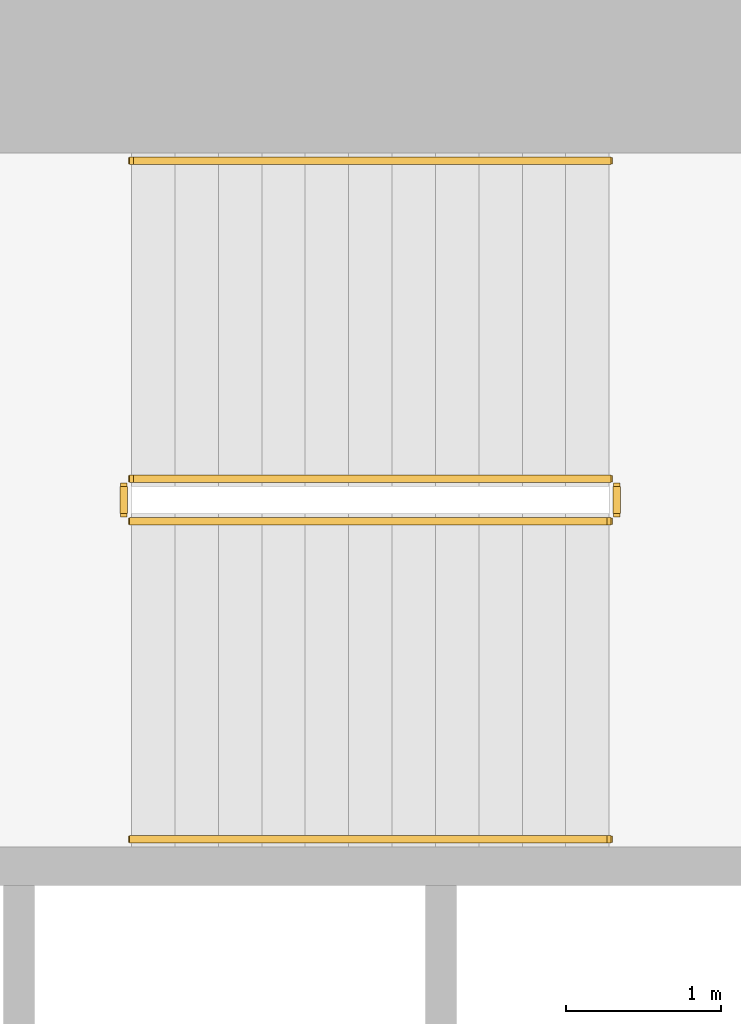
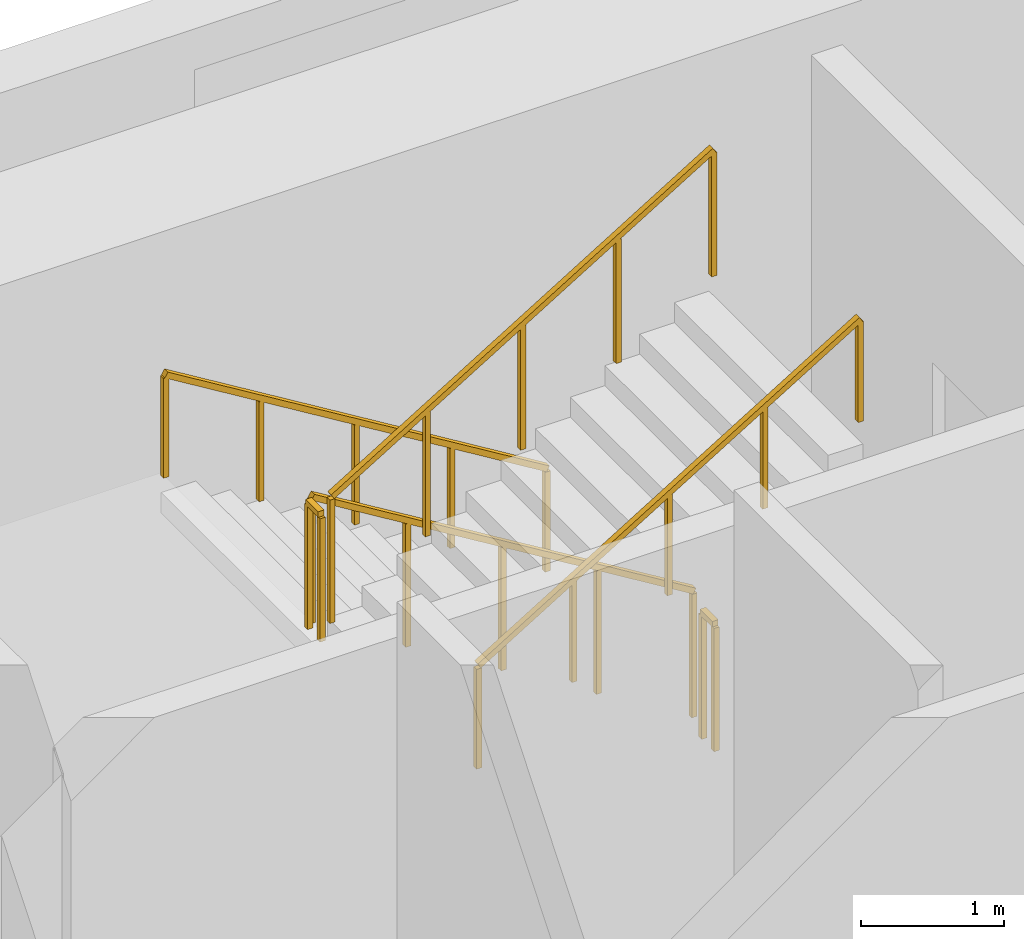
# One storey, part 14 of 15: 6 railings.
"""IFC4 building model written with IfcOpenShell, lengths in metres."""

from ifc_helpers import new_model, si_unit, direction, frame, origin, origin_2d, place, context, subcontext, project, spatial, rectangle, extrude, material, type_object, element, save


model = new_model("IFC4")

# Units and contexts
model_context = context("Model", 3, precision=1e-05, world=origin(), true_north=direction((0.0, 1.0)))
body_context = subcontext(model_context, "Body", "Model", "MODEL_VIEW")
ifc_project = project(units=[si_unit("LENGTHUNIT", "METRE"), si_unit("AREAUNIT", "SQUARE_METRE"), si_unit("VOLUMEUNIT", "CUBIC_METRE"), si_unit("PLANEANGLEUNIT", "RADIAN"), si_unit("MASSUNIT", "GRAM", prefix="KILO")], contexts=[model_context])

# Site, building, storey
site_placement = place(None, origin())
site = spatial("IfcSite", under=ifc_project, at=site_placement, CompositionType="ELEMENT")
building_placement = place(site_placement, origin())
building = spatial("IfcBuilding", under=site, at=building_placement, Name="Cypress Arch Tower", CompositionType="ELEMENT")
storey_placement = place(building_placement, frame((0.0, 0.0, 292.60009765625)))
storey = spatial("IfcBuildingStorey", under=building, at=storey_placement, Name="L66", CompositionType="ELEMENT", Elevation=292.60009765625)

# Railings
ifc_material_1 = material(Name="Black powder-coated steel square bar 48 mm", Category="steel")
railing_type_1 = type_object("IfcRailingType", Name="Stair handrail HR1", PredefinedType="HANDRAIL", material=ifc_material_1)
railing_1_placement = place(storey_placement, frame((-22.27490234375, 14.75, 0.170654296875)))
element("IfcRailing", 1, at=railing_1_placement, inside=storey, type_object=railing_type_1, Name="L66 B stair handrail 1", PredefinedType="HANDRAIL", context=body_context, shape_type="SweptSolid", body=[
    extrude(rectangle(XDim=0.048095703125, YDim=0.048095703125, at=origin_2d()), frame((0.0, 0.0, 0.8759765625), z_axis=(-0.853666305674, 0.0, 0.52082035152), x_axis=(0.0, -1.0, 0.0)), (0.0, 0.0, 1.0), 3.608154296875),
    extrude(rectangle(XDim=0.0419921875, YDim=0.0419921875, at=origin_2d()), origin(), (0.0, 0.0, 1.0), 0.851806640625),
    extrude(rectangle(XDim=0.0419921875, YDim=0.0419921875, at=origin_2d()), frame((-0.77001953125, 0.0, 0.4697265625)), (0.0, 0.0, 1.0), 0.851806640625),
    extrude(rectangle(XDim=0.0419921875, YDim=0.0419921875, at=origin_2d()), frame((-1.5400390625, 0.0, 0.939453125)), (0.0, 0.0, 1.0), 0.851806640625),
    extrude(rectangle(XDim=0.0419921875, YDim=0.0419921875, at=origin_2d()), frame((-2.31005859375, 0.0, 1.409423828125)), (0.0, 0.0, 1.0), 0.851806640625),
    extrude(rectangle(XDim=0.0419921875, YDim=0.0419921875, at=origin_2d()), frame((-3.080078125, 0.0, 1.879150390625)), (0.0, 0.0, 1.0), 0.851806640625),
])
railing_2_placement = place(storey_placement, frame((-25.35498046875, 10.375, 2.220703125)))
element("IfcRailing", 2, at=railing_2_placement, inside=storey, type_object=railing_type_1, Name="L66 B stair handrail 2", PredefinedType="HANDRAIL", context=body_context, shape_type="SweptSolid", body=[
    extrude(rectangle(XDim=0.048095703125, YDim=0.048095703125, at=origin_2d()), frame((0.0, 0.0, 0.8759765625), z_axis=(0.853666305674, 0.0, 0.52082035152), x_axis=(0.0, 1.0, 0.0)), (0.0, 0.0, 1.0), 3.608154296875),
    extrude(rectangle(XDim=0.0419921875, YDim=0.0419921875, at=origin_2d()), origin(), (0.0, 0.0, 1.0), 0.851806640625),
    extrude(rectangle(XDim=0.0419921875, YDim=0.0419921875, at=origin_2d()), frame((0.77001953125, 0.0, 0.4697265625)), (0.0, 0.0, 1.0), 0.851806640625),
    extrude(rectangle(XDim=0.0419921875, YDim=0.0419921875, at=origin_2d()), frame((1.5400390625, 0.0, 0.939453125)), (0.0, 0.0, 1.0), 0.851806640625),
    extrude(rectangle(XDim=0.0419921875, YDim=0.0419921875, at=origin_2d()), frame((2.31005859375, 0.0, 1.409423828125)), (0.0, 0.0, 1.0), 0.851806640625),
    extrude(rectangle(XDim=0.0419921875, YDim=0.0419921875, at=origin_2d()), frame((3.080078125, 0.0, 1.879150390625)), (0.0, 0.0, 1.0), 0.851806640625),
])
ifc_material_2 = material(Name="Black powder-coated steel balusters", Category="steel")
railing_type_2 = type_object("IfcRailingType", Name="Stair well guard G1", PredefinedType="GUARDRAIL", material=ifc_material_2)
railing_3_placement = place(storey_placement, frame((-22.27490234375, 12.699951171875, 0.170654296875)))
element("IfcRailing", 3, at=railing_3_placement, inside=storey, type_object=railing_type_2, Name="L66 B stair guard 1", PredefinedType="GUARDRAIL", context=body_context, shape_type="SweptSolid", body=[
    extrude(rectangle(XDim=0.048095703125, YDim=0.048095703125, at=origin_2d()), frame((0.0, 0.0, 1.076171875), z_axis=(-0.853666305674, 0.0, 0.52082035152), x_axis=(0.0, -1.0, 0.0)), (0.0, 0.0, 1.0), 3.608154296875),
    extrude(rectangle(XDim=0.0419921875, YDim=0.0419921875, at=origin_2d()), origin(), (0.0, 0.0, 1.0), 1.052001953125),
    extrude(rectangle(XDim=0.0419921875, YDim=0.0419921875, at=origin_2d()), frame((-0.77001953125, 0.0, 0.4697265625)), (0.0, 0.0, 1.0), 1.052001953125),
    extrude(rectangle(XDim=0.0419921875, YDim=0.0419921875, at=origin_2d()), frame((-1.5400390625, 0.0, 0.939453125)), (0.0, 0.0, 1.0), 1.052001953125),
    extrude(rectangle(XDim=0.0419921875, YDim=0.0419921875, at=origin_2d()), frame((-2.31005859375, 0.0, 1.409423828125)), (0.0, 0.0, 1.0), 1.052001953125),
    extrude(rectangle(XDim=0.0419921875, YDim=0.0419921875, at=origin_2d()), frame((-3.080078125, 0.0, 1.879150390625)), (0.0, 0.0, 1.0), 1.052001953125),
])
railing_4_placement = place(storey_placement, frame((-25.405029296875, 12.64990234375, 2.0498046875)))
element("IfcRailing", 4, at=railing_4_placement, inside=storey, type_object=railing_type_2, Name="L66 B stair guard 2", PredefinedType="GUARDRAIL", context=body_context, shape_type="SweptSolid", body=[
    extrude(rectangle(XDim=0.048095703125, YDim=0.048095703125, at=origin_2d()), frame((0.0, 0.0, 1.076171875), z_axis=(0.0, -1.0, 0.0), x_axis=(1.0, 0.0, 0.0)), (0.0, 0.0, 1.0), 0.1748046875),
    extrude(rectangle(XDim=0.0419921875, YDim=0.0419921875, at=origin_2d()), origin(), (0.0, 0.0, 1.0), 1.052001953125),
    extrude(rectangle(XDim=0.0419921875, YDim=0.0419921875, at=origin_2d()), frame((0.0, -0.1748046875, 0.0)), (0.0, 0.0, 1.0), 1.052001953125),
])
railing_5_placement = place(storey_placement, frame((-25.35498046875, 12.425048828125, 2.220703125)))
element("IfcRailing", 5, at=railing_5_placement, inside=storey, type_object=railing_type_2, Name="L66 B stair guard 3", PredefinedType="GUARDRAIL", context=body_context, shape_type="SweptSolid", body=[
    extrude(rectangle(XDim=0.048095703125, YDim=0.048095703125, at=origin_2d()), frame((0.0, 0.0, 1.076171875), z_axis=(0.853666305674, 0.0, 0.52082035152), x_axis=(0.0, 1.0, 0.0)), (0.0, 0.0, 1.0), 3.608154296875),
    extrude(rectangle(XDim=0.0419921875, YDim=0.0419921875, at=origin_2d()), origin(), (0.0, 0.0, 1.0), 1.052001953125),
    extrude(rectangle(XDim=0.0419921875, YDim=0.0419921875, at=origin_2d()), frame((0.77001953125, 0.0, 0.4697265625)), (0.0, 0.0, 1.0), 1.052001953125),
    extrude(rectangle(XDim=0.0419921875, YDim=0.0419921875, at=origin_2d()), frame((1.5400390625, 0.0, 0.939453125)), (0.0, 0.0, 1.0), 1.052001953125),
    extrude(rectangle(XDim=0.0419921875, YDim=0.0419921875, at=origin_2d()), frame((2.31005859375, 0.0, 1.409423828125)), (0.0, 0.0, 1.0), 1.052001953125),
    extrude(rectangle(XDim=0.0419921875, YDim=0.0419921875, at=origin_2d()), frame((3.080078125, 0.0, 1.879150390625)), (0.0, 0.0, 1.0), 1.052001953125),
])
railing_6_placement = place(storey_placement, frame((-22.22509765625, 12.64990234375, 0.0)))
element("IfcRailing", 6, at=railing_6_placement, inside=storey, type_object=railing_type_2, Name="L66 B stair guard 4", PredefinedType="GUARDRAIL", context=body_context, shape_type="SweptSolid", body=[
    extrude(rectangle(XDim=0.048095703125, YDim=0.048095703125, at=origin_2d()), frame((0.0, 0.0, 1.076171875), z_axis=(0.0, -1.0, 0.0), x_axis=(1.0, 0.0, 0.0)), (0.0, 0.0, 1.0), 0.1748046875),
    extrude(rectangle(XDim=0.0419921875, YDim=0.0419921875, at=origin_2d()), origin(), (0.0, 0.0, 1.0), 1.052001953125),
    extrude(rectangle(XDim=0.0419921875, YDim=0.0419921875, at=origin_2d()), frame((0.0, -0.1748046875, 0.0)), (0.0, 0.0, 1.0), 1.052001953125),
])

save(model, "model.ifc")
